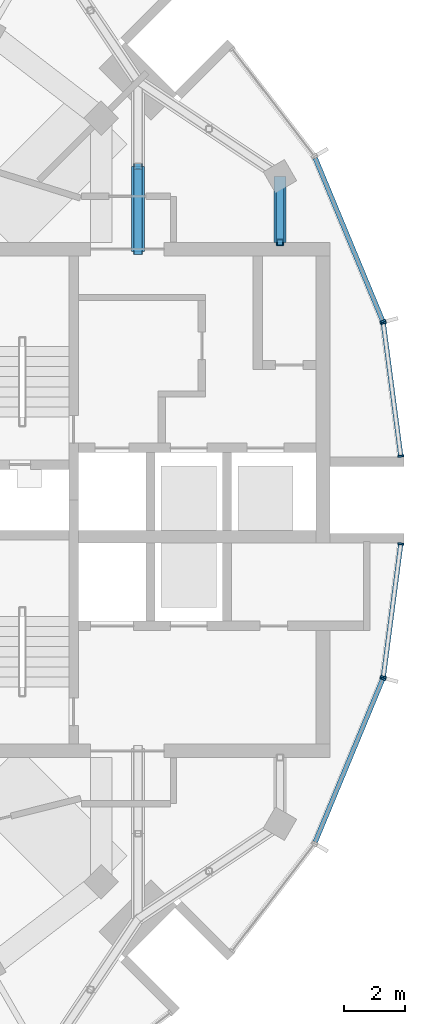
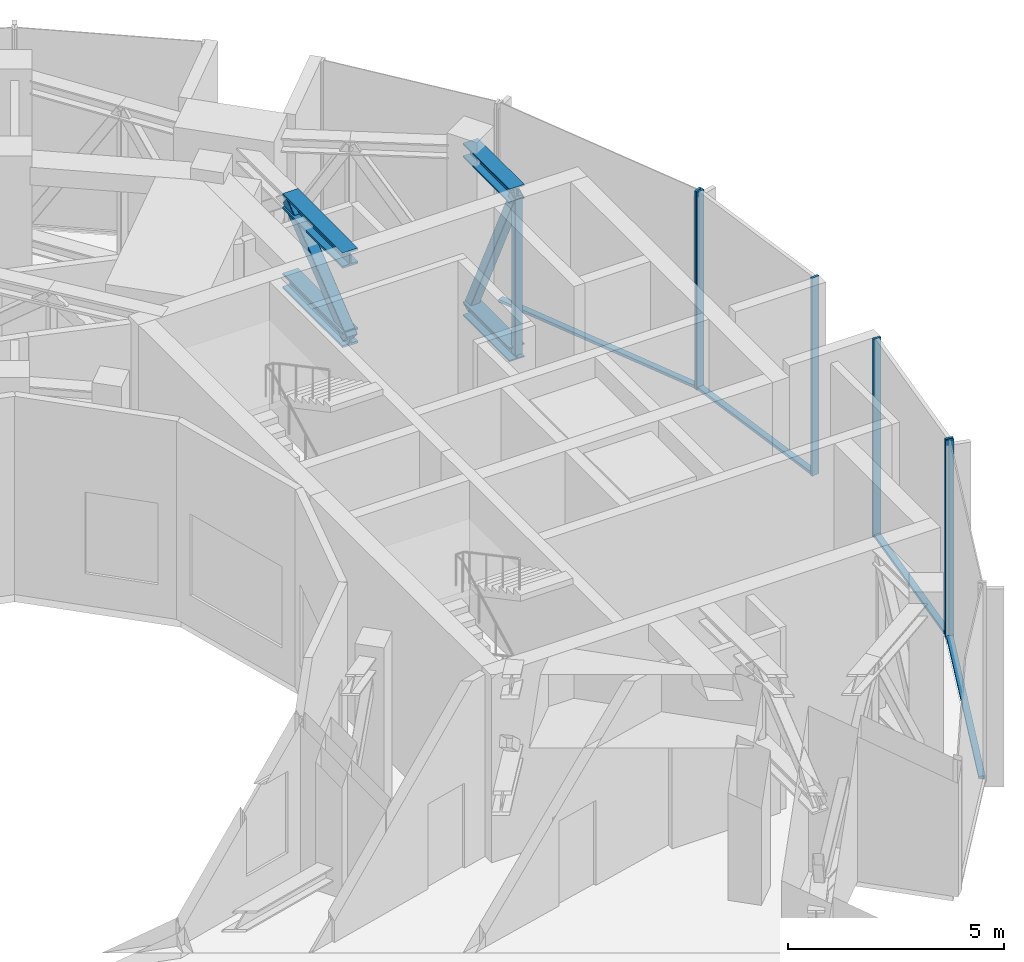
# One storey, part 6 of 17: 17 members, 4 elements without a shape of their own.
"""IFC4 building model written with IfcOpenShell, lengths in metres."""

from ifc_helpers import new_model, si_unit, direction, frame, origin, origin_2d, place, context, subcontext, project, spatial, rectangle, hollow_rectangle, i_section, extrude, material, layer, layer_set, material_profile, profile_set, type_object, element, aggregate, save


model = new_model("IFC4")

# Units and contexts
model_context = context("Model", 3, precision=1e-05, world=origin(), true_north=direction((0.0, 1.0)))
body_context = subcontext(model_context, "Body", "Model", "MODEL_VIEW")
ifc_project = project(units=[si_unit("LENGTHUNIT", "METRE"), si_unit("AREAUNIT", "SQUARE_METRE"), si_unit("VOLUMEUNIT", "CUBIC_METRE"), si_unit("PLANEANGLEUNIT", "RADIAN"), si_unit("MASSUNIT", "GRAM", prefix="KILO")], contexts=[model_context])

# Site, building, storey
site_placement = place(None, origin())
site = spatial("IfcSite", under=ifc_project, at=site_placement, CompositionType="ELEMENT")
building_placement = place(site_placement, origin())
building = spatial("IfcBuilding", under=site, at=building_placement, Name="Torre Brocal", CompositionType="ELEMENT")
storey_placement = place(building_placement, frame((0.0, 0.0, 309.300048828125)))
storey = spatial("IfcBuildingStorey", under=building, at=storey_placement, Name="L71", CompositionType="ELEMENT", Elevation=309.300048828125)

# Member
ifc_material_1 = material(Name="Steel A500 Grade C", Category="steel")
ifc_material_profile_1 = material_profile(ifc_material_1, hollow_rectangle(XDim=0.203125, YDim=0.203125, WallThickness=0.01171875, InnerFilletRadius=0.01171875, OuterFilletRadius=0.023681640625, at=origin_2d()), Name="HSS8X8X1/2")
ifc_profile_set_1 = profile_set([ifc_material_profile_1], Name="Steel A500 Grade C")
member_type_1 = type_object("IfcMemberType", Name="BELT 3 POST HSS8X8X1/2", PredefinedType="POST", material=ifc_profile_set_1)
member_1_placement = place(storey_placement, frame((98.273193359375, 83.39990234375, 0.599365234375), z_axis=(0.0, 0.0, 1.0), x_axis=(1.0, 0.0, 0.0)))
element("IfcMember", 1, at=member_1_placement, inside=storey, type_object=member_type_1, Name="Member BT3-P20", PredefinedType="POST", context=body_context, shape_type="SweptSolid", body=[
    extrude(hollow_rectangle(XDim=0.203125, YDim=0.203125, WallThickness=0.01171875, InnerFilletRadius=0.01171875, OuterFilletRadius=0.023681640625, at=origin_2d()), origin(), (0.0, 0.0, 1.0), 4.481201171875),
])

# Curtain wall, member
ifc_material_2 = material(Name="Aluminium and glass", Category="aluminium")
ifc_layer_1 = layer(ifc_material_2, 0.199951171875)
ifc_layer_set_1 = layer_set([ifc_layer_1], Name="Aluminium and glass")
curtain_wall_type_1 = type_object("IfcCurtainWallType", Name="CW-1 CURTAIN WALL 5600 HIGH", PredefinedType="NOTDEFINED", material=ifc_layer_set_1)
curtain_wall_1_placement = place(storey_placement, origin())
curtain_wall_1 = element("IfcCurtainWall", 2, at=curtain_wall_1_placement, inside=storey, type_object=curtain_wall_type_1, Name="CW-1 RUN 2", PredefinedType="NOTDEFINED")
ifc_material_3 = material(Name="Aluminium, dark anodised", Category="aluminium")
ifc_material_profile_2 = material_profile(ifc_material_3, rectangle(XDim=0.199951171875, YDim=0.06005859375, at=origin_2d()), Name="CW-1 MULLION 60X200")
ifc_profile_set_2 = profile_set([ifc_material_profile_2], Name="Aluminium, dark anodised")
member_type_2 = type_object("IfcMemberType", Name="CW-1 MULLION 60X200", PredefinedType="MULLION", material=ifc_profile_set_2)
member_2_placement = place(storey_placement, frame((101.62451171875, 80.824951171875, 0.0), z_axis=(0.0, 0.0, 1.0), x_axis=(-0.923879532545, -0.382683432284, 0.0)))
member_2 = element("IfcMember", 3, at=member_2_placement, type_object=member_type_2, Name="CW1-2 mullion 1", PredefinedType="MULLION", context=body_context, shape_type="SweptSolid", body=[
    extrude(rectangle(XDim=0.199951171875, YDim=0.06005859375, at=origin_2d()), origin(), (0.0, 0.0, 1.0), 5.599853515625),
])

curtain_wall_2_placement = place(storey_placement, origin())
curtain_wall_2 = element("IfcCurtainWall", 4, at=curtain_wall_2_placement, inside=storey, type_object=curtain_wall_type_1, Name="CW-1 RUN 23", PredefinedType="NOTDEFINED")
member_3_placement = place(storey_placement, frame((101.62451171875, 69.175048828125, 0.0), z_axis=(0.0, 0.0, 1.0), x_axis=(-0.923879532545, 0.382683432284, 0.0)))
member_3 = element("IfcMember", 5, at=member_3_placement, type_object=member_type_2, Name="CW1-2 mullion 2", PredefinedType="MULLION", context=body_context, shape_type="SweptSolid", body=[
    extrude(rectangle(XDim=0.199951171875, YDim=0.06005859375, at=origin_2d()), origin(), (0.0, 0.0, 1.0), 5.599853515625),
])

# Member
ifc_material_4 = material(Name="Aluminium, dark anodised", Category="aluminium")
ifc_material_profile_3 = material_profile(ifc_material_4, rectangle(XDim=0.159912109375, YDim=0.080078125, at=origin_2d()), Name="CW-1 TRANSOM 160X80")
ifc_profile_set_3 = profile_set([ifc_material_profile_3], Name="Aluminium, dark anodised")
member_type_3 = type_object("IfcMemberType", Name="CW-1 TRANSOM 160X80", PredefinedType="USERDEFINED", material=ifc_profile_set_3)
member_4_placement = place(storey_placement, frame((101.613037109375, 80.852783203125, 0.0400390625), z_axis=(-0.382710701355, 0.923868236854, 0.0), x_axis=(-0.923868236854, -0.382710701355, 0.0)))
member_4 = element("IfcMember", 6, at=member_4_placement, type_object=member_type_3, Name="CW1-2 transom 1.1", ObjectType="TRANSOM", PredefinedType="USERDEFINED", context=body_context, shape_type="SweptSolid", body=[
    extrude(rectangle(XDim=0.159912109375, YDim=0.080078125, at=origin_2d()), origin(), (0.0, 0.0, 1.0), 5.727294921875),
])

aggregate(curtain_wall_1, [member_2, member_4])

member_5_placement = place(storey_placement, frame((99.421142578125, 63.85595703125, 0.0400390625), z_axis=(0.382710701355, 0.923868236854, 0.0), x_axis=(-0.923868236854, 0.382710701355, 0.0)))
member_5 = element("IfcMember", 7, at=member_5_placement, type_object=member_type_3, Name="CW1-2 transom 1.1", ObjectType="TRANSOM", PredefinedType="USERDEFINED", context=body_context, shape_type="SweptSolid", body=[
    extrude(rectangle(XDim=0.159912109375, YDim=0.080078125, at=origin_2d()), origin(), (0.0, 0.0, 1.0), 5.727294921875),
])

aggregate(curtain_wall_2, [member_3, member_5])

# Curtain wall, members
ifc_material_5 = material(Name="Aluminium and glass", Category="aluminium")
ifc_layer_2 = layer(ifc_material_5, 0.199951171875)
ifc_layer_set_2 = layer_set([ifc_layer_2], Name="Aluminium and glass")
curtain_wall_type_2 = type_object("IfcCurtainWallType", Name="CW-1B CURTAIN WALL 5600 HIGH", PredefinedType="NOTDEFINED", material=ifc_layer_set_2)
curtain_wall_3_placement = place(storey_placement, origin())
curtain_wall_3 = element("IfcCurtainWall", 8, at=curtain_wall_3_placement, inside=storey, type_object=curtain_wall_type_2, Name="CW-1B RUN 1", PredefinedType="NOTDEFINED")
ifc_material_6 = material(Name="Aluminium, dark anodised", Category="aluminium")
ifc_material_profile_4 = material_profile(ifc_material_6, rectangle(XDim=0.199951171875, YDim=0.06005859375, at=origin_2d()), Name="CW-1B MULLION 60X200")
ifc_profile_set_4 = profile_set([ifc_material_profile_4], Name="Aluminium, dark anodised")
member_type_4 = type_object("IfcMemberType", Name="CW-1B MULLION 60X200", PredefinedType="MULLION", material=ifc_profile_set_4)
member_6_placement = place(storey_placement, frame((102.2109375, 76.4296875, 0.0), z_axis=(0.0, 0.0, 1.0), x_axis=(-0.991444861374, -0.13052619222, 0.0)))
member_6 = element("IfcMember", 9, at=member_6_placement, type_object=member_type_4, Name="CW1B-2 mullion 1", PredefinedType="MULLION", context=body_context, shape_type="SweptSolid", body=[
    extrude(rectangle(XDim=0.199951171875, YDim=0.06005859375, at=origin_2d()), origin(), (0.0, 0.0, 1.0), 5.599853515625),
])
member_7_placement = place(storey_placement, frame((101.639892578125, 80.767578125, 0.0), z_axis=(0.0, 0.0, 1.0), x_axis=(-0.991444861374, -0.13052619222, 0.0)))
member_7 = element("IfcMember", 10, at=member_7_placement, type_object=member_type_4, Name="CW1B-2 mullion 2", PredefinedType="MULLION", context=body_context, shape_type="SweptSolid", body=[
    extrude(rectangle(XDim=0.199951171875, YDim=0.06005859375, at=origin_2d()), origin(), (0.0, 0.0, 1.0), 5.599853515625),
])

curtain_wall_4_placement = place(storey_placement, origin())
curtain_wall_4 = element("IfcCurtainWall", 11, at=curtain_wall_4_placement, inside=storey, type_object=curtain_wall_type_2, Name="CW-1B RUN 24", PredefinedType="NOTDEFINED")
member_8_placement = place(storey_placement, frame((101.639892578125, 69.232421875, 0.0), z_axis=(0.0, 0.0, 1.0), x_axis=(-0.991444861374, 0.13052619222, 0.0)))
member_8 = element("IfcMember", 12, at=member_8_placement, type_object=member_type_4, Name="CW1B-2 mullion 1", PredefinedType="MULLION", context=body_context, shape_type="SweptSolid", body=[
    extrude(rectangle(XDim=0.199951171875, YDim=0.06005859375, at=origin_2d()), origin(), (0.0, 0.0, 1.0), 5.599853515625),
])
member_9_placement = place(storey_placement, frame((102.2109375, 73.5703125, 0.0), z_axis=(0.0, 0.0, 1.0), x_axis=(-0.991444861374, 0.13052619222, 0.0)))
member_9 = element("IfcMember", 13, at=member_9_placement, type_object=member_type_4, Name="CW1B-2 mullion 2", PredefinedType="MULLION", context=body_context, shape_type="SweptSolid", body=[
    extrude(rectangle(XDim=0.199951171875, YDim=0.06005859375, at=origin_2d()), origin(), (0.0, 0.0, 1.0), 5.599853515625),
])

# Member
ifc_material_7 = material(Name="Aluminium, dark anodised", Category="aluminium")
ifc_material_profile_5 = material_profile(ifc_material_7, rectangle(XDim=0.159912109375, YDim=0.080078125, at=origin_2d()), Name="CW-1B TRANSOM 160X80")
ifc_profile_set_5 = profile_set([ifc_material_profile_5], Name="Aluminium, dark anodised")
member_type_5 = type_object("IfcMemberType", Name="CW-1B TRANSOM 160X80", PredefinedType="USERDEFINED", material=ifc_profile_set_5)
member_10_placement = place(storey_placement, frame((102.20703125, 76.45947265625, 0.0400390625), z_axis=(-0.130521833991, 0.991445435136, 0.0), x_axis=(-0.991445435136, -0.130521833991, 0.0)))
member_10 = element("IfcMember", 14, at=member_10_placement, type_object=member_type_5, Name="CW1B-2 transom 1.1", ObjectType="TRANSOM", PredefinedType="USERDEFINED", context=body_context, shape_type="SweptSolid", body=[
    extrude(rectangle(XDim=0.159912109375, YDim=0.080078125, at=origin_2d()), origin(), (0.0, 0.0, 1.0), 4.315185546875),
])

aggregate(curtain_wall_3, [member_6, member_7, member_10])

member_11_placement = place(storey_placement, frame((101.643798828125, 69.26220703125, 0.0400390625), z_axis=(0.130521833991, 0.991445435136, 0.0), x_axis=(-0.991445435136, 0.130521833991, 0.0)))
member_11 = element("IfcMember", 15, at=member_11_placement, type_object=member_type_5, Name="CW1B-2 transom 1.1", ObjectType="TRANSOM", PredefinedType="USERDEFINED", context=body_context, shape_type="SweptSolid", body=[
    extrude(rectangle(XDim=0.159912109375, YDim=0.080078125, at=origin_2d()), origin(), (0.0, 0.0, 1.0), 4.315185546875),
])

aggregate(curtain_wall_4, [member_8, member_9, member_11])

# Members
ifc_material_8 = material(Name="Steel A992", Category="steel")
ifc_material_profile_6 = material_profile(ifc_material_8, i_section(OverallWidth=0.4013671875, OverallDepth=0.398681640625, WebThickness=0.02490234375, FlangeThickness=0.03955078125, at=origin_2d()), Name="W14X211")
ifc_profile_set_6 = profile_set([ifc_material_profile_6], Name="Steel A992")
member_type_6 = type_object("IfcMemberType", Name="TRUSS BOTTOM CHORD W14X211", PredefinedType="CHORD", material=ifc_profile_set_6)
member_12_placement = place(storey_placement, frame((98.273193359375, 85.550048828125, 0.599365234375), z_axis=(0.0, -1.0, 0.0), x_axis=(1.0, 0.0, 0.0)))
element("IfcMember", 16, at=member_12_placement, inside=storey, type_object=member_type_6, Name="Member BT3-C72", PredefinedType="CHORD", context=body_context, shape_type="SweptSolid", body=[
    extrude(i_section(OverallWidth=0.4013671875, OverallDepth=0.398681640625, WebThickness=0.02490234375, FlangeThickness=0.03955078125, at=origin_2d()), origin(), (0.0, 0.0, 1.0), 2.150146484375),
])
ifc_material_9 = material(Name="Steel A992", Category="steel")
ifc_material_profile_7 = material_profile(ifc_material_9, i_section(OverallWidth=0.41162109375, OverallDepth=0.434326171875, WebThickness=0.035888671875, FlangeThickness=0.057373046875, at=origin_2d()), Name="W14X311")
ifc_profile_set_7 = profile_set([ifc_material_profile_7], Name="Steel A992")
member_type_7 = type_object("IfcMemberType", Name="TRUSS BOTTOM CHORD W14X311", PredefinedType="CHORD", material=ifc_profile_set_7)
member_13_placement = place(storey_placement, frame((93.647216796875, 83.10009765625, 2.817138671875), z_axis=(0.0, 1.0, 0.0), x_axis=(-1.0, 0.0, 0.0)))
element("IfcMember", 17, at=member_13_placement, inside=storey, type_object=member_type_7, Name="Member OT3-C02", PredefinedType="CHORD", context=body_context, shape_type="SweptSolid", body=[
    extrude(i_section(OverallWidth=0.41162109375, OverallDepth=0.434326171875, WebThickness=0.035888671875, FlangeThickness=0.057373046875, at=origin_2d()), origin(), (0.0, 0.0, 1.0), 2.7734375),
])
ifc_material_10 = material(Name="Steel A500 Grade C", Category="steel")
ifc_material_profile_8 = material_profile(ifc_material_10, hollow_rectangle(XDim=0.25390625, YDim=0.25390625, WallThickness=0.01171875, InnerFilletRadius=0.01171875, OuterFilletRadius=0.023681640625, at=origin_2d()), Name="HSS10X10X1/2")
ifc_profile_set_8 = profile_set([ifc_material_profile_8], Name="Steel A500 Grade C")
member_type_8 = type_object("IfcMemberType", Name="TRUSS DIAGONAL HSS10X10X1/2", PredefinedType="BRACE", material=ifc_profile_set_8)
member_14_placement = place(storey_placement, frame((98.273193359375, 85.550048828125, 0.599365234375), z_axis=(0.0, -0.432595329375, 0.901588199237), x_axis=(1.0, 0.0, 0.0)))
element("IfcMember", 18, at=member_14_placement, inside=storey, type_object=member_type_8, Name="Member BT3-D36", PredefinedType="BRACE", context=body_context, shape_type="SweptSolid", body=[
    extrude(hollow_rectangle(XDim=0.25390625, YDim=0.25390625, WallThickness=0.01171875, InnerFilletRadius=0.01171875, OuterFilletRadius=0.023681640625, at=origin_2d()), origin(), (0.0, 0.0, 1.0), 4.970458984375),
])
ifc_material_11 = material(Name="Steel A500 Grade C", Category="steel")
ifc_material_profile_9 = material_profile(ifc_material_11, hollow_rectangle(XDim=0.3046875, YDim=0.3046875, WallThickness=0.014892578125, InnerFilletRadius=0.014892578125, OuterFilletRadius=0.029541015625, at=origin_2d()), Name="HSS12X12X5/8")
ifc_profile_set_9 = profile_set([ifc_material_profile_9], Name="Steel A500 Grade C")
member_type_9 = type_object("IfcMemberType", Name="TRUSS DIAGONAL HSS12X12X5/8", PredefinedType="BRACE", material=ifc_profile_set_9)
member_15_placement = place(storey_placement, frame((93.647216796875, 83.10009765625, 2.817138671875), z_axis=(0.0, 0.777184325305, 0.62927301269), x_axis=(-1.0, 0.0, 0.0)))
element("IfcMember", 19, at=member_15_placement, inside=storey, type_object=member_type_9, Name="Member OT3-D01", PredefinedType="BRACE", context=body_context, shape_type="SweptSolid", body=[
    extrude(hollow_rectangle(XDim=0.3046875, YDim=0.3046875, WallThickness=0.014892578125, InnerFilletRadius=0.014892578125, OuterFilletRadius=0.029541015625, at=origin_2d()), origin(), (0.0, 0.0, 1.0), 3.568603515625),
])
ifc_material_12 = material(Name="Steel A992", Category="steel")
ifc_material_profile_10 = material_profile(ifc_material_12, i_section(OverallWidth=0.4013671875, OverallDepth=0.398681640625, WebThickness=0.02490234375, FlangeThickness=0.03955078125, at=origin_2d()), Name="W14X211")
ifc_profile_set_10 = profile_set([ifc_material_profile_10], Name="Steel A992")
member_type_10 = type_object("IfcMemberType", Name="TRUSS TOP CHORD W14X211", PredefinedType="CHORD", material=ifc_profile_set_10)
member_16_placement = place(storey_placement, frame((98.273193359375, 85.550048828125, 5.08056640625), z_axis=(0.0, -1.0, 0.0), x_axis=(1.0, 0.0, 0.0)))
element("IfcMember", 20, at=member_16_placement, inside=storey, type_object=member_type_10, Name="Member BT3-C71", PredefinedType="CHORD", context=body_context, shape_type="SweptSolid", body=[
    extrude(i_section(OverallWidth=0.4013671875, OverallDepth=0.398681640625, WebThickness=0.02490234375, FlangeThickness=0.03955078125, at=origin_2d()), origin(), (0.0, 0.0, 1.0), 2.150146484375),
])
ifc_material_13 = material(Name="Steel A992", Category="steel")
ifc_material_profile_11 = material_profile(ifc_material_13, i_section(OverallWidth=0.41162109375, OverallDepth=0.434326171875, WebThickness=0.035888671875, FlangeThickness=0.057373046875, at=origin_2d()), Name="W14X311")
ifc_profile_set_11 = profile_set([ifc_material_profile_11], Name="Steel A992")
member_type_11 = type_object("IfcMemberType", Name="TRUSS TOP CHORD W14X311", PredefinedType="CHORD", material=ifc_profile_set_11)
member_17_placement = place(storey_placement, frame((93.647216796875, 83.10009765625, 5.062744140625), z_axis=(0.0, 1.0, 0.0), x_axis=(-1.0, 0.0, 0.0)))
element("IfcMember", 21, at=member_17_placement, inside=storey, type_object=member_type_11, Name="Member OT3-C01", PredefinedType="CHORD", context=body_context, shape_type="SweptSolid", body=[
    extrude(i_section(OverallWidth=0.41162109375, OverallDepth=0.434326171875, WebThickness=0.035888671875, FlangeThickness=0.057373046875, at=origin_2d()), origin(), (0.0, 0.0, 1.0), 2.7734375),
])

save(model, "model.ifc")
